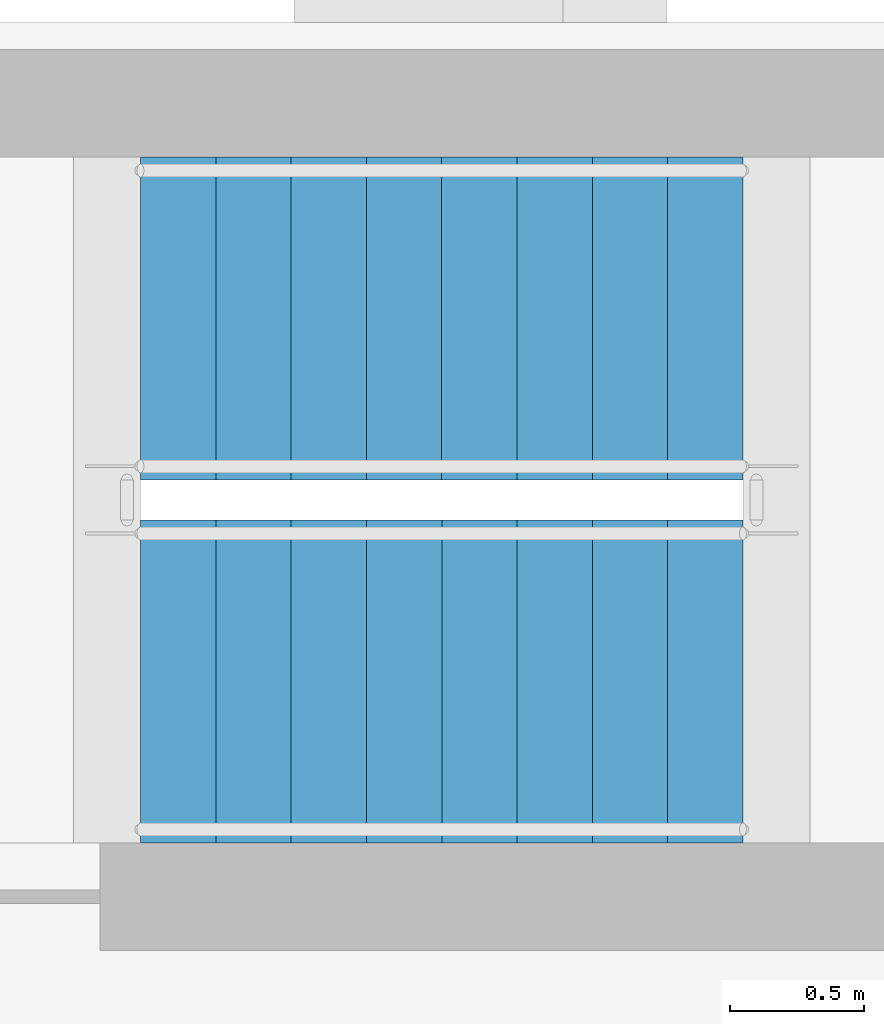
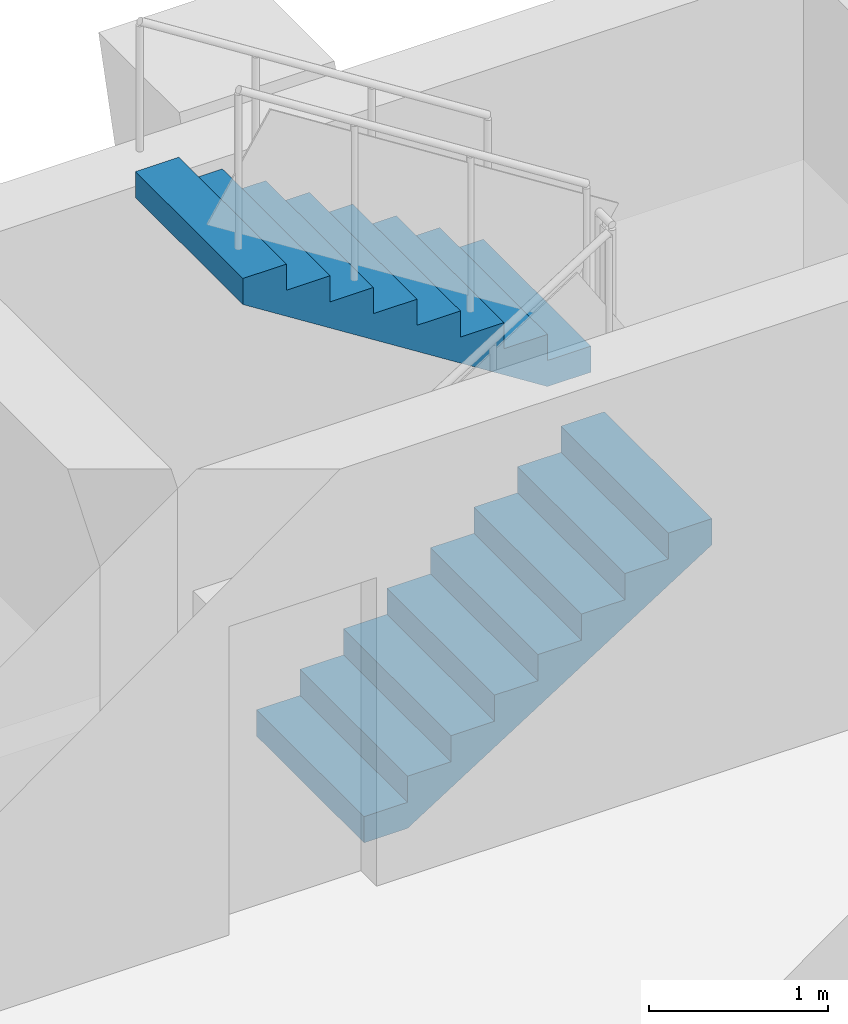
# One storey, part 12 of 16: 2 stair flights, 1 element without a shape of its own.
"""IFC4 building model written with IfcOpenShell, lengths in metres."""

from ifc_helpers import new_model, si_unit, direction, frame, origin, place, context, subcontext, project, spatial, polyline, outline, extrude, material, type_object, element, aggregate, save


model = new_model("IFC4")

# Units and contexts
model_context = context("Model", 3, precision=1e-05, world=origin(), true_north=direction((0.0, 1.0)))
body_context = subcontext(model_context, "Body", "Model", "MODEL_VIEW")
ifc_project = project(units=[si_unit("LENGTHUNIT", "METRE"), si_unit("AREAUNIT", "SQUARE_METRE"), si_unit("VOLUMEUNIT", "CUBIC_METRE"), si_unit("PLANEANGLEUNIT", "RADIAN"), si_unit("MASSUNIT", "GRAM", prefix="KILO")], contexts=[model_context])

# Site, building, storey
site_placement = place(None, origin())
site = spatial("IfcSite", under=ifc_project, at=site_placement, CompositionType="ELEMENT")
building_placement = place(site_placement, origin())
building = spatial("IfcBuilding", under=site, at=building_placement, Name="Vidyagriha Tower", CompositionType="ELEMENT")
storey_placement = place(building_placement, frame((0.0, 0.0, 220.39990234375)))
storey = spatial("IfcBuildingStorey", under=building, at=storey_placement, Name="L57", CompositionType="ELEMENT", Elevation=220.39990234375)

# Stair, stair flights
ifc_material_1 = material(Name="Concrete C40/50", Category="concrete")
stair_type = type_object("IfcStairType", Name="Exit stair, half-turn, precast flights", PredefinedType="HALF_TURN_STAIR", material=ifc_material_1)
stair_placement = place(storey_placement, origin())
stair = element("IfcStair", 1, at=stair_placement, inside=storey, type_object=stair_type, Name="L57 Exit Stair ST3", PredefinedType="HALF_TURN_STAIR")
ifc_material_2 = material(Name="Precast concrete C40/50", Category="concrete")
stair_flight_type = type_object("IfcStairFlightType", Name="Exit stair flight 1200 mm, precast", PredefinedType="STRAIGHT", material=ifc_material_2)
stair_flight_1_placement = place(storey_placement, frame((4.0, 17.550048828125, 0.0)))
stair_flight_1 = element("IfcStairFlight", 2, at=stair_flight_1_placement, type_object=stair_flight_type, Name="ST3 flight 1", NumberOfRisers=9, NumberOfTreads=8, PredefinedType="STRAIGHT", RiserHeight=0.177777778, TreadLength=0.28, context=body_context, shape_type="SweptSolid", body=[
    extrude(outline(polyline([(0.0, 0.0), (0.0, 0.177734375), (0.280029296875, 0.177734375), (0.280029296875, 0.35546875), (0.56005859375, 0.35546875), (0.56005859375, 0.533447265625), (0.840087890625, 0.533447265625), (0.840087890625, 0.711181640625), (1.1201171875, 0.711181640625), (1.1201171875, 0.888916015625), (1.39990234375, 0.888916015625), (1.39990234375, 1.066650390625), (1.679931640625, 1.066650390625), (1.679931640625, 1.244384765625), (1.9599609375, 1.244384765625), (1.9599609375, 1.422119140625), (2.239990234375, 1.422119140625), (2.239990234375, 1.60009765625), (2.239990234375, 1.24462890625), (0.27978515625, 0.0), (0.0, 0.0)])), frame((0.0, 0.60009765625, 0.0), z_axis=(0.0, -1.0, 0.0), x_axis=(1.0, 0.0, 0.0)), (0.0, 0.0, 1.0), 1.199951171875),
])
stair_flight_2_placement = place(storey_placement, frame((6.239990234375, 18.89990234375, 1.60009765625), z_axis=(0.0, 0.0, 1.0), x_axis=(-1.0, 0.0, 0.0)))
stair_flight_2 = element("IfcStairFlight", 3, at=stair_flight_2_placement, type_object=stair_flight_type, Name="ST3 flight 2", NumberOfRisers=9, NumberOfTreads=8, PredefinedType="STRAIGHT", RiserHeight=0.177777778, TreadLength=0.28, context=body_context, shape_type="SweptSolid", body=[
    extrude(outline(polyline([(0.0, 0.0), (0.0, 0.177734375), (0.280029296875, 0.177734375), (0.280029296875, 0.35546875), (0.56005859375, 0.35546875), (0.56005859375, 0.533447265625), (0.840087890625, 0.533447265625), (0.840087890625, 0.711181640625), (1.1201171875, 0.711181640625), (1.1201171875, 0.888916015625), (1.39990234375, 0.888916015625), (1.39990234375, 1.066650390625), (1.679931640625, 1.066650390625), (1.679931640625, 1.244384765625), (1.9599609375, 1.244384765625), (1.9599609375, 1.422119140625), (2.239990234375, 1.422119140625), (2.239990234375, 1.60009765625), (2.239990234375, 1.24462890625), (0.27978515625, 0.0), (0.0, 0.0)])), frame((0.0, 0.60009765625, 0.0), z_axis=(0.0, -1.0, 0.0), x_axis=(1.0, 0.0, 0.0)), (0.0, 0.0, 1.0), 1.199951171875),
])
aggregate(stair, [stair_flight_1, stair_flight_2])

save(model, "model.ifc")
